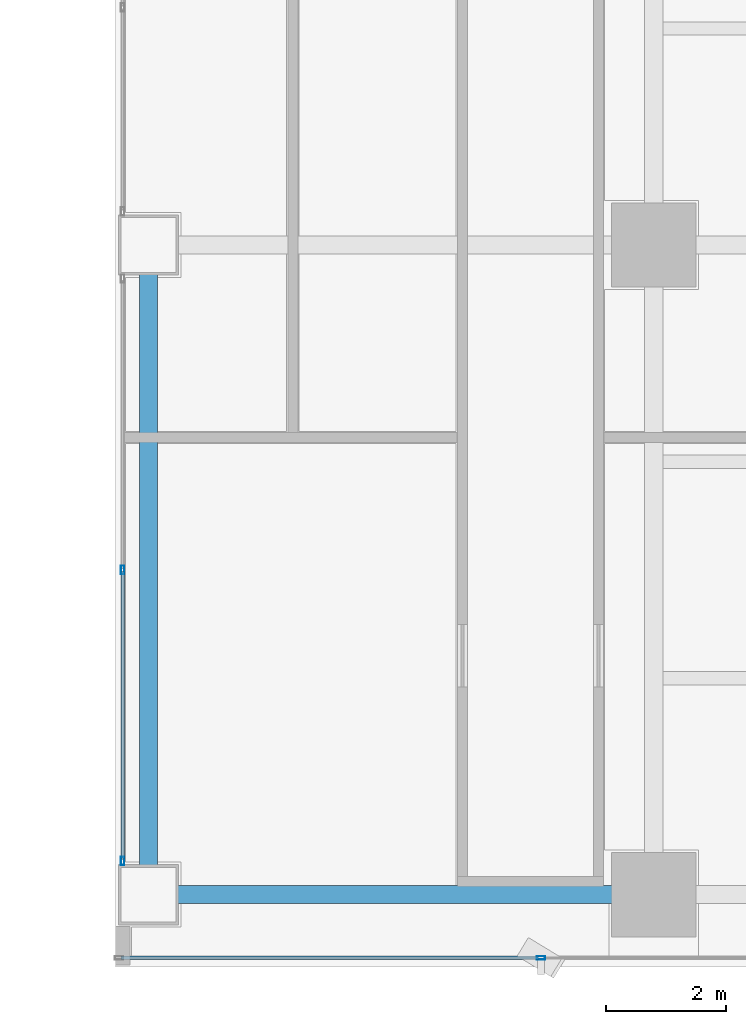
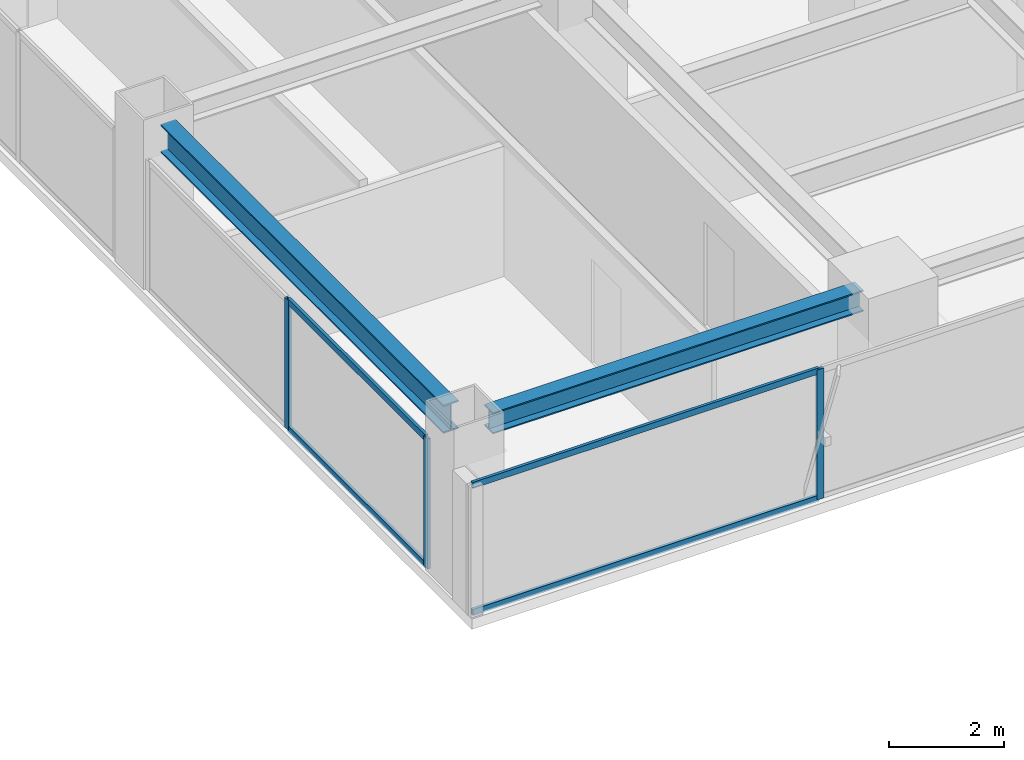
# One storey, part 12 of 31: 7 members, 2 beams, 2 elements without a shape of their own.
"""IFC4 building model written with IfcOpenShell, lengths in metres."""

from ifc_helpers import new_model, si_unit, direction, frame, origin, origin_2d, place, context, subcontext, project, spatial, hollow_rectangle, i_section, extrude, source, transform, mapped, material, layer, layer_set, material_profile, profile_set, type_object, element, aggregate, save


model = new_model("IFC4")

# Units and contexts
model_context = context("Model", 3, precision=1e-05, world=origin(), true_north=direction((0.0, 1.0)))
body_context = subcontext(model_context, "Body", "Model", "MODEL_VIEW")
ifc_project = project(units=[si_unit("LENGTHUNIT", "METRE"), si_unit("AREAUNIT", "SQUARE_METRE"), si_unit("VOLUMEUNIT", "CUBIC_METRE"), si_unit("PLANEANGLEUNIT", "RADIAN"), si_unit("MASSUNIT", "GRAM", prefix="KILO")], contexts=[model_context])

# Site, building, storey
site_placement = place(None, origin())
site = spatial("IfcSite", under=ifc_project, at=site_placement, CompositionType="ELEMENT")
building_placement = place(site_placement, origin())
building = spatial("IfcBuilding", under=site, at=building_placement, Name="Sumidabori Civic Tower", CompositionType="ELEMENT")
storey_placement = place(building_placement, frame((0.0, 0.0, 221.60009765625)))
storey = spatial("IfcBuildingStorey", under=building, at=storey_placement, Name="L57", CompositionType="ELEMENT", Elevation=221.60009765625)

# Beams
ifc_material_1 = material(Name="Steel SN490", Category="steel")
ifc_material_profile_1 = material_profile(ifc_material_1, i_section(OverallWidth=0.300048828125, OverallDepth=0.60009765625, WebThickness=0.015380859375, FlangeThickness=0.030029296875, at=origin_2d()), Name="HE 600 B")
ifc_profile_set_1 = profile_set([ifc_material_profile_1], Name="Steel SN490")
beam_type_1 = type_object("IfcBeamType", Name="BM-GIRD-600", PredefinedType="BEAM", material=ifc_profile_set_1)
shared_shape_1 = source(origin(), body_context, "Body", "SweptSolid", [
    extrude(i_section(OverallWidth=0.300048828125, OverallDepth=0.60009765625, WebThickness=0.015380859375, FlangeThickness=0.030029296875, at=origin_2d()), origin(), (0.0, 0.0, 1.0), 9.840087890625),
])
beam_1_placement = place(storey_placement, frame((8.39990234375, -10.320068359375, 3.079833984375), z_axis=(0.0, 1.0, 0.0), x_axis=(-1.0, 0.0, 0.0)))
element("IfcBeam", 1, at=beam_1_placement, inside=storey, type_object=beam_type_1, Name="Primary Girder L57 GY-18", PredefinedType="BEAM", context=body_context, shape_type="MappedRepresentation", body=[
    mapped(shared_shape_1, transform((0.0, 0.0, 0.0), x_axis=(1.0, 0.0, 0.0), y_axis=(0.0, 1.0, 0.0), z_axis=(0.0, 0.0, 1.0), scale=1.0)),
])
ifc_material_profile_2 = material_profile(ifc_material_1, i_section(OverallWidth=0.300048828125, OverallDepth=0.449951171875, WebThickness=0.013916015625, FlangeThickness=0.02587890625, at=origin_2d()), Name="HE 450 B")
ifc_profile_set_2 = profile_set([ifc_material_profile_2], Name="Steel SN490")
beam_type_2 = type_object("IfcBeamType", Name="BM-GIRD-450", PredefinedType="BEAM", material=ifc_profile_set_2)
shared_shape_2 = source(origin(), body_context, "Body", "SweptSolid", [
    extrude(i_section(OverallWidth=0.300048828125, OverallDepth=0.449951171875, WebThickness=0.013916015625, FlangeThickness=0.02587890625, at=origin_2d()), origin(), (0.0, 0.0, 1.0), 7.440185546875),
])
beam_2_placement = place(storey_placement, frame((8.8798828125, -10.800048828125, 3.15478515625), z_axis=(1.0, 0.0, 0.0), x_axis=(0.0, 1.0, 0.0)))
element("IfcBeam", 2, at=beam_2_placement, inside=storey, type_object=beam_type_2, Name="Primary Girder L57 GX-03", PredefinedType="BEAM", context=body_context, shape_type="MappedRepresentation", body=[
    mapped(shared_shape_2, transform((0.0, 0.0, 0.0), x_axis=(1.0, 0.0, 0.0), y_axis=(0.0, 1.0, 0.0), z_axis=(0.0, 0.0, 1.0), scale=1.0)),
])

# Curtain wall, members
ifc_material_2 = material(Name="Anodised Bronze Aluminium AW-6063-T6", Category="aluminium")
ifc_layer_1 = layer(ifc_material_2, 0.179931640625, Name="Anodised Bronze Aluminium AW-6063-T6")
ifc_layer_set_1 = layer_set([ifc_layer_1], Name="Anodised Bronze Aluminium AW-6063-T6")
curtain_wall_type_1 = type_object("IfcCurtainWallType", Name="CW-SYS-4", PredefinedType="NOTDEFINED", material=ifc_layer_set_1)
curtain_wall_1_placement = place(storey_placement, origin())
curtain_wall_1 = element("IfcCurtainWall", 3, at=curtain_wall_1_placement, inside=storey, type_object=curtain_wall_type_1, Name="Curtain Wall CW:L57:R07", PredefinedType="NOTDEFINED")
ifc_material_profile_3 = material_profile(ifc_material_2, hollow_rectangle(XDim=0.06005859375, YDim=0.139892578125, WallThickness=0.0048828125, at=origin_2d()), Name="ALU MULLION 140x60")
ifc_profile_set_3 = profile_set([ifc_material_profile_3], Name="Anodised Bronze Aluminium AW-6063-T6")
member_type_1 = type_object("IfcMemberType", Name="CW-MUL-140", PredefinedType="MULLION", material=ifc_profile_set_3)
shared_shape_3 = source(origin(), body_context, "Body", "SweptSolid", [
    extrude(hollow_rectangle(XDim=0.06005859375, YDim=0.139892578125, WallThickness=0.0048828125, at=origin_2d()), origin(), (0.0, 0.0, 1.0), 2.760009765625),
])
member_1_placement = place(storey_placement, frame((7.969970703125, -5.39990234375, 0.0), z_axis=(0.0, 0.0, 1.0), x_axis=(1.0, 0.0, 0.0)))
member_1 = element("IfcMember", 4, at=member_1_placement, type_object=member_type_1, Name="CW-4 mullion 2", PredefinedType="MULLION", context=body_context, shape_type="MappedRepresentation", body=[
    mapped(shared_shape_3, transform((0.0, 0.0, 0.0), x_axis=(1.0, 0.0, 0.0), y_axis=(0.0, 1.0, 0.0), z_axis=(0.0, 0.0, 1.0), scale=1.0)),
])
member_2_placement = place(storey_placement, frame((7.969970703125, -10.239990234375, 0.0), z_axis=(0.0, 0.0, 1.0), x_axis=(1.0, 0.0, 0.0)))
member_2 = element("IfcMember", 5, at=member_2_placement, type_object=member_type_1, Name="CW-4 mullion 3", PredefinedType="MULLION", context=body_context, shape_type="MappedRepresentation", body=[
    mapped(shared_shape_3, transform((0.0, 0.0, 0.0), x_axis=(1.0, 0.0, 0.0), y_axis=(0.0, 1.0, 0.0), z_axis=(0.0, 0.0, 1.0), scale=1.0)),
])

# Curtain wall, member
ifc_layer_2 = layer(ifc_material_2, 0.179931640625, Name="Anodised Bronze Aluminium AW-6063-T6")
ifc_layer_set_2 = layer_set([ifc_layer_2], Name="Anodised Bronze Aluminium AW-6063-T6")
curtain_wall_type_2 = type_object("IfcCurtainWallType", Name="CW-SYS-5", PredefinedType="NOTDEFINED", material=ifc_layer_set_2)
curtain_wall_2_placement = place(storey_placement, origin())
curtain_wall_2 = element("IfcCurtainWall", 6, at=curtain_wall_2_placement, inside=storey, type_object=curtain_wall_type_2, Name="Curtain Wall CW:L57:R10", PredefinedType="NOTDEFINED")
member_3_placement = place(storey_placement, frame((14.925048828125, -11.85009765625, 0.0), z_axis=(0.0, 0.0, 1.0), x_axis=(0.0, 1.0, 0.0)))
member_3 = element("IfcMember", 7, at=member_3_placement, type_object=member_type_1, Name="CW-5 mullion 2", PredefinedType="MULLION", context=body_context, shape_type="MappedRepresentation", body=[
    mapped(shared_shape_3, transform((0.0, 0.0, 0.0), x_axis=(1.0, 0.0, 0.0), y_axis=(0.0, 1.0, 0.0), z_axis=(0.0, 0.0, 1.0), scale=1.0)),
])

# Member
ifc_material_profile_4 = material_profile(ifc_material_2, hollow_rectangle(XDim=0.06005859375, YDim=0.1298828125, WallThickness=0.0048828125, at=origin_2d()), Name="ALU TRANSOM 130x60")
ifc_profile_set_4 = profile_set([ifc_material_profile_4], Name="Anodised Bronze Aluminium AW-6063-T6")
member_type_2 = type_object("IfcMemberType", Name="CW-TRN-130", PredefinedType="USERDEFINED", material=ifc_profile_set_4)
shared_shape_4 = source(origin(), body_context, "Body", "SweptSolid", [
    extrude(hollow_rectangle(XDim=0.06005859375, YDim=0.1298828125, WallThickness=0.0048828125, at=origin_2d()), origin(), (0.0, 0.0, 1.0), 4.780029296875),
])
member_4_placement = place(storey_placement, frame((7.969970703125, -5.429931640625, 0.02978515625), z_axis=(0.0, -1.0, 0.0), x_axis=(1.0, 0.0, 0.0)))
member_4 = element("IfcMember", 8, at=member_4_placement, type_object=member_type_2, Name="CW-4 transom 2.1", ObjectType="TRANSOM", PredefinedType="USERDEFINED", context=body_context, shape_type="MappedRepresentation", body=[
    mapped(shared_shape_4, transform((0.0, 0.0, 0.0), x_axis=(1.0, 0.0, 0.0), y_axis=(0.0, 1.0, 0.0), z_axis=(0.0, 0.0, 1.0), scale=1.0)),
])

member_5_placement = place(storey_placement, frame((7.969970703125, -5.429931640625, 2.72998046875), z_axis=(0.0, -1.0, 0.0), x_axis=(1.0, 0.0, 0.0)))
member_5 = element("IfcMember", 9, at=member_5_placement, type_object=member_type_2, Name="CW-4 transom 2.2", ObjectType="TRANSOM", PredefinedType="USERDEFINED", context=body_context, shape_type="MappedRepresentation", body=[
    mapped(shared_shape_4, transform((0.0, 0.0, 0.0), x_axis=(1.0, 0.0, 0.0), y_axis=(0.0, 1.0, 0.0), z_axis=(0.0, 0.0, 1.0), scale=1.0)),
])

aggregate(curtain_wall_1, [member_1, member_2, member_4, member_5])

shared_shape_5 = source(origin(), body_context, "Body", "SweptSolid", [
    extrude(hollow_rectangle(XDim=0.06005859375, YDim=0.1298828125, WallThickness=0.0048828125, at=origin_2d()), origin(), (0.0, 0.0, 1.0), 6.955078125),
])
member_6_placement = place(storey_placement, frame((7.93994140625, -11.85009765625, 0.02978515625), z_axis=(1.0, 0.0, 0.0), x_axis=(0.0, 1.0, 0.0)))
member_6 = element("IfcMember", 10, at=member_6_placement, type_object=member_type_2, Name="CW-5 transom 1.1", ObjectType="TRANSOM", PredefinedType="USERDEFINED", context=body_context, shape_type="MappedRepresentation", body=[
    mapped(shared_shape_5, transform((0.0, 0.0, 0.0), x_axis=(1.0, 0.0, 0.0), y_axis=(0.0, 1.0, 0.0), z_axis=(0.0, 0.0, 1.0), scale=1.0)),
])

member_7_placement = place(storey_placement, frame((7.93994140625, -11.85009765625, 2.72998046875), z_axis=(1.0, 0.0, 0.0), x_axis=(0.0, 1.0, 0.0)))
member_7 = element("IfcMember", 11, at=member_7_placement, type_object=member_type_2, Name="CW-5 transom 1.2", ObjectType="TRANSOM", PredefinedType="USERDEFINED", context=body_context, shape_type="MappedRepresentation", body=[
    mapped(shared_shape_5, transform((0.0, 0.0, 0.0), x_axis=(1.0, 0.0, 0.0), y_axis=(0.0, 1.0, 0.0), z_axis=(0.0, 0.0, 1.0), scale=1.0)),
])

aggregate(curtain_wall_2, [member_3, member_6, member_7])

save(model, "model.ifc")
